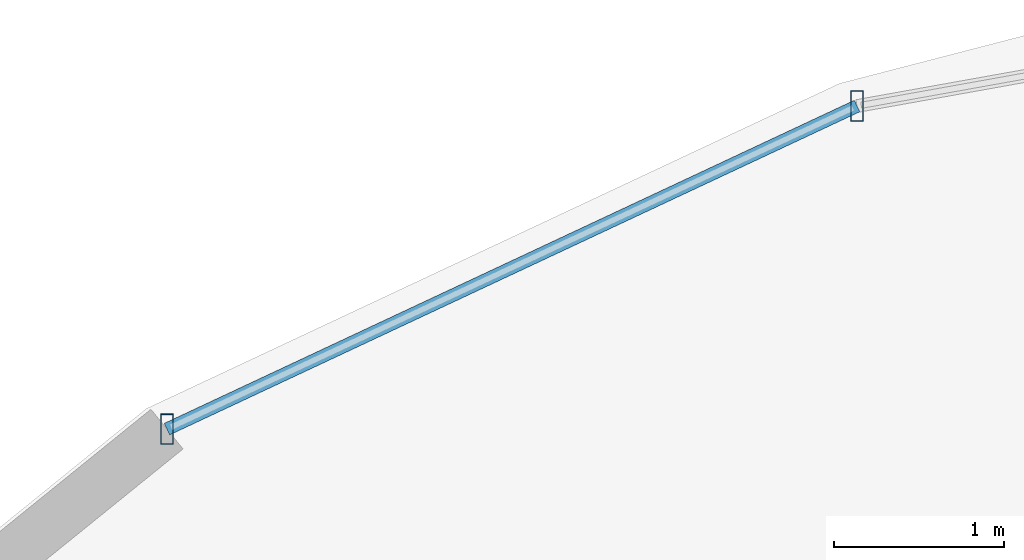
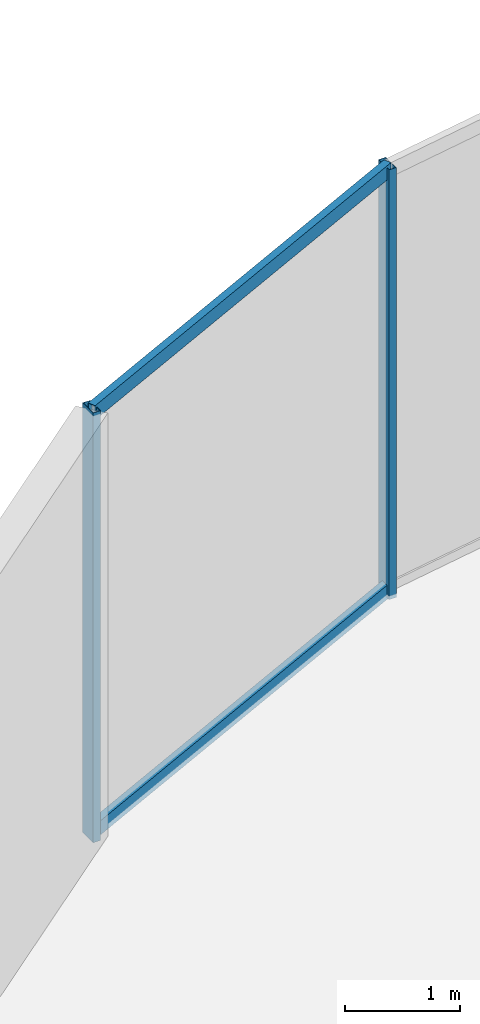
# One storey, part 13 of 27: 4 members, 1 element without a shape of its own.
"""IFC4 building model written with IfcOpenShell, lengths in metres."""

from ifc_helpers import new_model, si_unit, direction, frame, origin, origin_2d, place, context, subcontext, project, spatial, hollow_rectangle, extrude, material, material_profile, profile_set, type_object, element, aggregate, save


model = new_model("IFC4")

# Units and contexts
model_context = context("Model", 3, precision=1e-05, world=origin(), true_north=direction((0.0, 1.0)))
body_context = subcontext(model_context, "Body", "Model", "MODEL_VIEW")
ifc_project = project(units=[si_unit("LENGTHUNIT", "METRE"), si_unit("AREAUNIT", "SQUARE_METRE"), si_unit("VOLUMEUNIT", "CUBIC_METRE"), si_unit("PLANEANGLEUNIT", "RADIAN"), si_unit("MASSUNIT", "GRAM", prefix="KILO")], contexts=[model_context])

# Site, building, storey
site_placement = place(None, origin())
site = spatial("IfcSite", under=ifc_project, at=site_placement, CompositionType="ELEMENT")
building_placement = place(site_placement, origin())
building = spatial("IfcBuilding", under=site, at=building_placement, Name="Vorneva Point Tower", CompositionType="ELEMENT")
storey_placement = place(building_placement, frame((0.0, 0.0, 4.800048828125)))
storey = spatial("IfcBuildingStorey", under=building, at=storey_placement, Name="L01", CompositionType="ELEMENT", Elevation=4.800048828125)

# Curtain wall, members
ifc_material = material(Name="Pale anodised aluminium", Category="aluminium")
curtain_wall_type = type_object("IfcCurtainWallType", Name="CW-POD-SYS", PredefinedType="NOTDEFINED", material=ifc_material)
curtain_wall_placement = place(storey_placement, origin())
curtain_wall = element("IfcCurtainWall", 1, at=curtain_wall_placement, inside=storey, type_object=curtain_wall_type, Name="L01 Unitised Curtain Wall CW-L01-R02", PredefinedType="NOTDEFINED")
ifc_material_profile_1 = material_profile(ifc_material, hollow_rectangle(XDim=0.074951171875, YDim=0.179931640625, WallThickness=0.00390625, at=origin_2d()), Name="AL-MUL 180x75x4")
ifc_profile_set_1 = profile_set([ifc_material_profile_1], Name="Pale anodised aluminium")
member_type_1 = type_object("IfcMemberType", Name="CW-MUL-180", PredefinedType="MULLION", material=ifc_profile_set_1)
member_1_placement = place(storey_placement, frame((14.037109375, 46.864013671875, -0.0400390625), z_axis=(0.0, 0.0, 1.0), x_axis=(1.0, 0.0, 0.0)))
member_1 = element("IfcMember", 2, at=member_1_placement, type_object=member_type_1, Name="CW-L01-R02 Mullion 03", PredefinedType="MULLION", context=body_context, shape_type="SweptSolid", body=[
    extrude(hollow_rectangle(XDim=0.074951171875, YDim=0.179931640625, WallThickness=0.00390625, at=origin_2d()), origin(), (0.0, 0.0, 1.0), 4.550048828125),
])
member_2_placement = place(storey_placement, frame((9.9775390625, 44.96337890625, -0.0400390625), z_axis=(0.0, 0.0, 1.0), x_axis=(1.0, 0.0, 0.0)))
member_2 = element("IfcMember", 3, at=member_2_placement, type_object=member_type_1, Name="CW-L01-R02 Mullion 04", PredefinedType="MULLION", context=body_context, shape_type="SweptSolid", body=[
    extrude(hollow_rectangle(XDim=0.074951171875, YDim=0.179931640625, WallThickness=0.00390625, at=origin_2d()), origin(), (0.0, 0.0, 1.0), 4.550048828125),
])
ifc_material_profile_2 = material_profile(ifc_material, hollow_rectangle(XDim=0.074951171875, YDim=0.14990234375, WallThickness=0.00390625, at=origin_2d()), Name="AL-TRN 150x75x4")
ifc_profile_set_2 = profile_set([ifc_material_profile_2], Name="Pale anodised aluminium")
member_type_2 = type_object("IfcMemberType", Name="CW-TRN-150", PredefinedType="USERDEFINED", material=ifc_profile_set_2)
member_3_placement = place(storey_placement, frame((14.037109375, 46.864013671875, 0.02001953125), z_axis=(-0.905655072563, -0.424015199657, 0.0), x_axis=(0.424015199657, -0.905655072563, 0.0)))
member_3 = element("IfcMember", 4, at=member_3_placement, type_object=member_type_2, Name="CW-L01-R02 Transom 03.1", ObjectType="TRANSOM", PredefinedType="USERDEFINED", context=body_context, shape_type="SweptSolid", body=[
    extrude(hollow_rectangle(XDim=0.074951171875, YDim=0.14990234375, WallThickness=0.00390625, at=origin_2d()), origin(), (0.0, 0.0, 1.0), 4.482421875),
])
member_4_placement = place(storey_placement, frame((14.037109375, 46.864013671875, 4.4599609375), z_axis=(-0.905655072563, -0.424015199657, 0.0), x_axis=(0.424015199657, -0.905655072563, 0.0)))
member_4 = element("IfcMember", 5, at=member_4_placement, type_object=member_type_2, Name="CW-L01-R02 Transom 03.2", ObjectType="TRANSOM", PredefinedType="USERDEFINED", context=body_context, shape_type="SweptSolid", body=[
    extrude(hollow_rectangle(XDim=0.074951171875, YDim=0.14990234375, WallThickness=0.00390625, at=origin_2d()), origin(), (0.0, 0.0, 1.0), 4.482421875),
])
aggregate(curtain_wall, [member_1, member_2, member_3, member_4])

save(model, "model.ifc")
